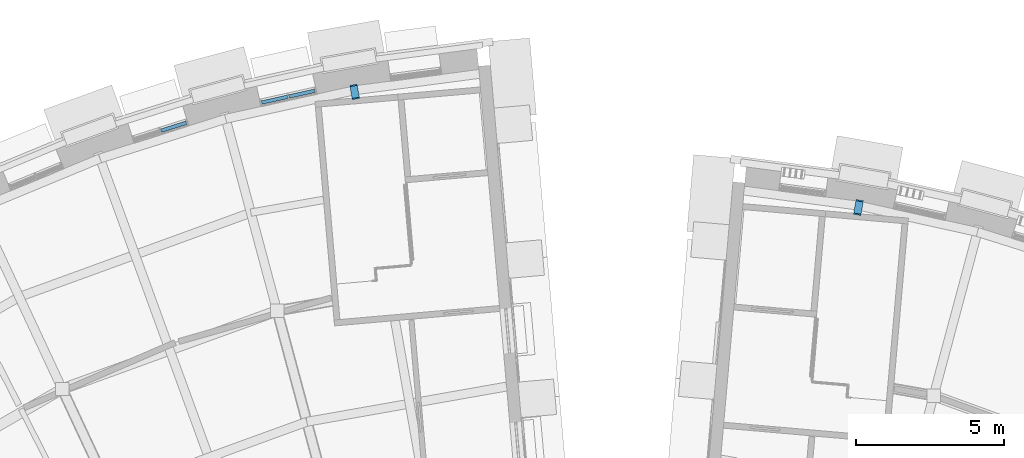
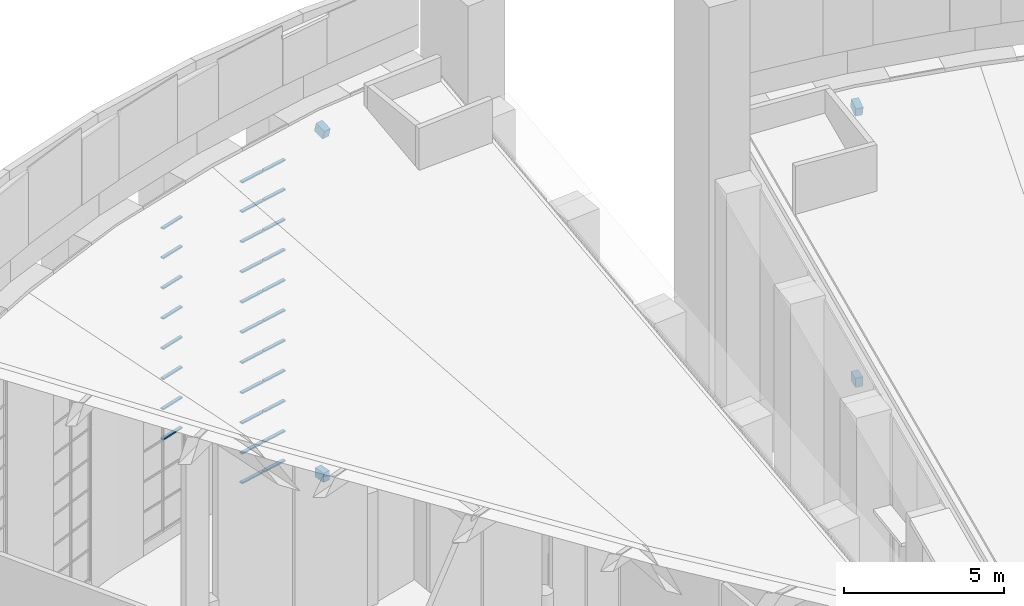
# One storey, part 36 of 82: 30 members, 4 beams, 2 elements without a shape of their own.
"""IFC4 building model written with IfcOpenShell, lengths in metres."""

from ifc_helpers import new_model, si_unit, direction, frame, origin, origin_2d, place, context, subcontext, project, spatial, rectangle, extrude, material, layer, layer_set, material_profile, profile_set, type_object, element, aggregate, save


model = new_model("IFC4")

# Units and contexts
model_context = context("Model", 3, precision=1e-05, world=origin(), true_north=direction((0.0, 1.0)))
body_context = subcontext(model_context, "Body", "Model", "MODEL_VIEW")
ifc_project = project(units=[si_unit("LENGTHUNIT", "METRE"), si_unit("AREAUNIT", "SQUARE_METRE"), si_unit("VOLUMEUNIT", "CUBIC_METRE"), si_unit("PLANEANGLEUNIT", "RADIAN"), si_unit("MASSUNIT", "GRAM", prefix="KILO")], contexts=[model_context])

# Site, building, storey
site_placement = place(None, origin())
site = spatial("IfcSite", under=ifc_project, at=site_placement, CompositionType="ELEMENT")
building_placement = place(site_placement, origin())
building = spatial("IfcBuilding", under=site, at=building_placement, Name="Volute Hill Aquarium", CompositionType="ELEMENT")
storey_placement = place(building_placement, frame((0.0, 0.0, 13.800048828125)))
storey = spatial("IfcBuildingStorey", under=building, at=storey_placement, Name="L04", CompositionType="ELEMENT", Elevation=13.800048828125)

# Curtain wall, members
ifc_material_1 = material(Name="Aluminium", Category="aluminium")
ifc_layer = layer(ifc_material_1, 0.25)
ifc_layer_set = layer_set([ifc_layer], Name="Curtain wall niche S6 module 967")
curtain_wall_type = type_object("IfcCurtainWallType", Name="Curtain wall niche S6 module 967", PredefinedType="NOTDEFINED", material=ifc_layer_set)
curtain_wall_1_placement = place(storey_placement, origin())
curtain_wall_1 = element("IfcCurtainWall", 1, at=curtain_wall_1_placement, inside=storey, type_object=curtain_wall_type, Name="Curtain wall CW S6 L04 2", PredefinedType="NOTDEFINED")
ifc_material_2 = material(Name="Aluminium", Category="aluminium")
ifc_material_profile_1 = material_profile(ifc_material_2, rectangle(XDim=0.1201171875, YDim=0.050048828125, at=origin_2d()), Name="Curtain wall transom S6 50x120")
ifc_profile_set_1 = profile_set([ifc_material_profile_1], Name="Aluminium")
member_type = type_object("IfcMemberType", Name="Curtain wall transom S6 50x120", PredefinedType="USERDEFINED", material=ifc_profile_set_1)
member_1_placement = place(storey_placement, frame((-10.181396484375, 50.161376953125, 0.474853515625), z_axis=(-0.976283562969, -0.216495738242, 0.0), x_axis=(0.216495738242, -0.976283562969, 0.0)))
member_1 = element("IfcMember", 2, at=member_1_placement, type_object=member_type, Name="CW transom 1.1", ObjectType="TRANSOM", PredefinedType="USERDEFINED", context=body_context, shape_type="SweptSolid", body=[
    extrude(rectangle(XDim=0.1201171875, YDim=0.050048828125, at=origin_2d()), origin(), (0.0, 0.0, 1.0), 0.89208984375),
])
member_2_placement = place(storey_placement, frame((-10.181396484375, 50.161376953125, 1.59912109375), z_axis=(-0.976283562969, -0.216495738242, 0.0), x_axis=(0.216495738242, -0.976283562969, 0.0)))
member_2 = element("IfcMember", 3, at=member_2_placement, type_object=member_type, Name="CW transom 1.2", ObjectType="TRANSOM", PredefinedType="USERDEFINED", context=body_context, shape_type="SweptSolid", body=[
    extrude(rectangle(XDim=0.1201171875, YDim=0.050048828125, at=origin_2d()), origin(), (0.0, 0.0, 1.0), 0.89208984375),
])
member_3_placement = place(storey_placement, frame((-10.181396484375, 50.161376953125, 2.748291015625), z_axis=(-0.976283562969, -0.216495738242, 0.0), x_axis=(0.216495738242, -0.976283562969, 0.0)))
member_3 = element("IfcMember", 4, at=member_3_placement, type_object=member_type, Name="CW transom 1.3", ObjectType="TRANSOM", PredefinedType="USERDEFINED", context=body_context, shape_type="SweptSolid", body=[
    extrude(rectangle(XDim=0.1201171875, YDim=0.050048828125, at=origin_2d()), origin(), (0.0, 0.0, 1.0), 0.89208984375),
])
member_4_placement = place(storey_placement, frame((-10.181396484375, 50.161376953125, 3.8974609375), z_axis=(-0.976283562969, -0.216495738242, 0.0), x_axis=(0.216495738242, -0.976283562969, 0.0)))
member_4 = element("IfcMember", 5, at=member_4_placement, type_object=member_type, Name="CW transom 1.4", ObjectType="TRANSOM", PredefinedType="USERDEFINED", context=body_context, shape_type="SweptSolid", body=[
    extrude(rectangle(XDim=0.1201171875, YDim=0.050048828125, at=origin_2d()), origin(), (0.0, 0.0, 1.0), 0.89208984375),
])
member_5_placement = place(storey_placement, frame((-10.181396484375, 50.161376953125, 5.046630859375), z_axis=(-0.976283562969, -0.216495738242, 0.0), x_axis=(0.216495738242, -0.976283562969, 0.0)))
member_5 = element("IfcMember", 6, at=member_5_placement, type_object=member_type, Name="CW transom 1.5", ObjectType="TRANSOM", PredefinedType="USERDEFINED", context=body_context, shape_type="SweptSolid", body=[
    extrude(rectangle(XDim=0.1201171875, YDim=0.050048828125, at=origin_2d()), origin(), (0.0, 0.0, 1.0), 0.89208984375),
])
member_6_placement = place(storey_placement, frame((-10.181396484375, 50.161376953125, 6.195556640625), z_axis=(-0.976283562969, -0.216495738242, 0.0), x_axis=(0.216495738242, -0.976283562969, 0.0)))
member_6 = element("IfcMember", 7, at=member_6_placement, type_object=member_type, Name="CW transom 1.6", ObjectType="TRANSOM", PredefinedType="USERDEFINED", context=body_context, shape_type="SweptSolid", body=[
    extrude(rectangle(XDim=0.1201171875, YDim=0.050048828125, at=origin_2d()), origin(), (0.0, 0.0, 1.0), 0.89208984375),
])
member_7_placement = place(storey_placement, frame((-10.181396484375, 50.161376953125, 7.3447265625), z_axis=(-0.976283562969, -0.216495738242, 0.0), x_axis=(0.216495738242, -0.976283562969, 0.0)))
member_7 = element("IfcMember", 8, at=member_7_placement, type_object=member_type, Name="CW transom 1.7", ObjectType="TRANSOM", PredefinedType="USERDEFINED", context=body_context, shape_type="SweptSolid", body=[
    extrude(rectangle(XDim=0.1201171875, YDim=0.050048828125, at=origin_2d()), origin(), (0.0, 0.0, 1.0), 0.89208984375),
])
member_8_placement = place(storey_placement, frame((-10.181396484375, 50.161376953125, 8.493896484375), z_axis=(-0.976283562969, -0.216495738242, 0.0), x_axis=(0.216495738242, -0.976283562969, 0.0)))
member_8 = element("IfcMember", 9, at=member_8_placement, type_object=member_type, Name="CW transom 1.8", ObjectType="TRANSOM", PredefinedType="USERDEFINED", context=body_context, shape_type="SweptSolid", body=[
    extrude(rectangle(XDim=0.1201171875, YDim=0.050048828125, at=origin_2d()), origin(), (0.0, 0.0, 1.0), 0.89208984375),
])
member_9_placement = place(storey_placement, frame((-10.181396484375, 50.161376953125, 9.64306640625), z_axis=(-0.976283562969, -0.216495738242, 0.0), x_axis=(0.216495738242, -0.976283562969, 0.0)))
member_9 = element("IfcMember", 10, at=member_9_placement, type_object=member_type, Name="CW transom 1.9", ObjectType="TRANSOM", PredefinedType="USERDEFINED", context=body_context, shape_type="SweptSolid", body=[
    extrude(rectangle(XDim=0.1201171875, YDim=0.050048828125, at=origin_2d()), origin(), (0.0, 0.0, 1.0), 0.89208984375),
])
member_10_placement = place(storey_placement, frame((-10.181396484375, 50.161376953125, 10.792236328125), z_axis=(-0.976283562969, -0.216495738242, 0.0), x_axis=(0.216495738242, -0.976283562969, 0.0)))
member_10 = element("IfcMember", 11, at=member_10_placement, type_object=member_type, Name="CW transom 1.10", ObjectType="TRANSOM", PredefinedType="USERDEFINED", context=body_context, shape_type="SweptSolid", body=[
    extrude(rectangle(XDim=0.1201171875, YDim=0.050048828125, at=origin_2d()), origin(), (0.0, 0.0, 1.0), 0.89208984375),
])
member_11_placement = place(storey_placement, frame((-10.181396484375, 50.161376953125, 11.916259765625), z_axis=(-0.976283562969, -0.216495738242, 0.0), x_axis=(0.216495738242, -0.976283562969, 0.0)))
member_11 = element("IfcMember", 12, at=member_11_placement, type_object=member_type, Name="CW transom 1.11", ObjectType="TRANSOM", PredefinedType="USERDEFINED", context=body_context, shape_type="SweptSolid", body=[
    extrude(rectangle(XDim=0.1201171875, YDim=0.050048828125, at=origin_2d()), origin(), (0.0, 0.0, 1.0), 0.89208984375),
])
member_12_placement = place(storey_placement, frame((-11.10107421875, 49.95751953125, 0.474853515625), z_axis=(-0.976270729453, -0.216553602635, 0.0), x_axis=(0.216553602635, -0.976270729453, 0.0)))
member_12 = element("IfcMember", 13, at=member_12_placement, type_object=member_type, Name="CW transom 2.1", ObjectType="TRANSOM", PredefinedType="USERDEFINED", context=body_context, shape_type="SweptSolid", body=[
    extrude(rectangle(XDim=0.1201171875, YDim=0.050048828125, at=origin_2d()), origin(), (0.0, 0.0, 1.0), 0.891845703125),
])
member_13_placement = place(storey_placement, frame((-11.10107421875, 49.95751953125, 1.59912109375), z_axis=(-0.976270729453, -0.216553602635, 0.0), x_axis=(0.216553602635, -0.976270729453, 0.0)))
member_13 = element("IfcMember", 14, at=member_13_placement, type_object=member_type, Name="CW transom 2.2", ObjectType="TRANSOM", PredefinedType="USERDEFINED", context=body_context, shape_type="SweptSolid", body=[
    extrude(rectangle(XDim=0.1201171875, YDim=0.050048828125, at=origin_2d()), origin(), (0.0, 0.0, 1.0), 0.891845703125),
])
member_14_placement = place(storey_placement, frame((-11.10107421875, 49.95751953125, 2.748291015625), z_axis=(-0.976270729453, -0.216553602635, 0.0), x_axis=(0.216553602635, -0.976270729453, 0.0)))
member_14 = element("IfcMember", 15, at=member_14_placement, type_object=member_type, Name="CW transom 2.3", ObjectType="TRANSOM", PredefinedType="USERDEFINED", context=body_context, shape_type="SweptSolid", body=[
    extrude(rectangle(XDim=0.1201171875, YDim=0.050048828125, at=origin_2d()), origin(), (0.0, 0.0, 1.0), 0.891845703125),
])
member_15_placement = place(storey_placement, frame((-11.10107421875, 49.95751953125, 3.8974609375), z_axis=(-0.976270729453, -0.216553602635, 0.0), x_axis=(0.216553602635, -0.976270729453, 0.0)))
member_15 = element("IfcMember", 16, at=member_15_placement, type_object=member_type, Name="CW transom 2.4", ObjectType="TRANSOM", PredefinedType="USERDEFINED", context=body_context, shape_type="SweptSolid", body=[
    extrude(rectangle(XDim=0.1201171875, YDim=0.050048828125, at=origin_2d()), origin(), (0.0, 0.0, 1.0), 0.891845703125),
])
member_16_placement = place(storey_placement, frame((-11.10107421875, 49.95751953125, 5.046630859375), z_axis=(-0.976270729453, -0.216553602635, 0.0), x_axis=(0.216553602635, -0.976270729453, 0.0)))
member_16 = element("IfcMember", 17, at=member_16_placement, type_object=member_type, Name="CW transom 2.5", ObjectType="TRANSOM", PredefinedType="USERDEFINED", context=body_context, shape_type="SweptSolid", body=[
    extrude(rectangle(XDim=0.1201171875, YDim=0.050048828125, at=origin_2d()), origin(), (0.0, 0.0, 1.0), 0.891845703125),
])
member_17_placement = place(storey_placement, frame((-11.10107421875, 49.95751953125, 6.195556640625), z_axis=(-0.976270729453, -0.216553602635, 0.0), x_axis=(0.216553602635, -0.976270729453, 0.0)))
member_17 = element("IfcMember", 18, at=member_17_placement, type_object=member_type, Name="CW transom 2.6", ObjectType="TRANSOM", PredefinedType="USERDEFINED", context=body_context, shape_type="SweptSolid", body=[
    extrude(rectangle(XDim=0.1201171875, YDim=0.050048828125, at=origin_2d()), origin(), (0.0, 0.0, 1.0), 0.891845703125),
])
member_18_placement = place(storey_placement, frame((-11.10107421875, 49.95751953125, 7.3447265625), z_axis=(-0.976270729453, -0.216553602635, 0.0), x_axis=(0.216553602635, -0.976270729453, 0.0)))
member_18 = element("IfcMember", 19, at=member_18_placement, type_object=member_type, Name="CW transom 2.7", ObjectType="TRANSOM", PredefinedType="USERDEFINED", context=body_context, shape_type="SweptSolid", body=[
    extrude(rectangle(XDim=0.1201171875, YDim=0.050048828125, at=origin_2d()), origin(), (0.0, 0.0, 1.0), 0.891845703125),
])
member_19_placement = place(storey_placement, frame((-11.10107421875, 49.95751953125, 8.493896484375), z_axis=(-0.976270729453, -0.216553602635, 0.0), x_axis=(0.216553602635, -0.976270729453, 0.0)))
member_19 = element("IfcMember", 20, at=member_19_placement, type_object=member_type, Name="CW transom 2.8", ObjectType="TRANSOM", PredefinedType="USERDEFINED", context=body_context, shape_type="SweptSolid", body=[
    extrude(rectangle(XDim=0.1201171875, YDim=0.050048828125, at=origin_2d()), origin(), (0.0, 0.0, 1.0), 0.891845703125),
])
member_20_placement = place(storey_placement, frame((-11.10107421875, 49.95751953125, 9.64306640625), z_axis=(-0.976270729453, -0.216553602635, 0.0), x_axis=(0.216553602635, -0.976270729453, 0.0)))
member_20 = element("IfcMember", 21, at=member_20_placement, type_object=member_type, Name="CW transom 2.9", ObjectType="TRANSOM", PredefinedType="USERDEFINED", context=body_context, shape_type="SweptSolid", body=[
    extrude(rectangle(XDim=0.1201171875, YDim=0.050048828125, at=origin_2d()), origin(), (0.0, 0.0, 1.0), 0.891845703125),
])
member_21_placement = place(storey_placement, frame((-11.10107421875, 49.95751953125, 10.792236328125), z_axis=(-0.976270729453, -0.216553602635, 0.0), x_axis=(0.216553602635, -0.976270729453, 0.0)))
member_21 = element("IfcMember", 22, at=member_21_placement, type_object=member_type, Name="CW transom 2.10", ObjectType="TRANSOM", PredefinedType="USERDEFINED", context=body_context, shape_type="SweptSolid", body=[
    extrude(rectangle(XDim=0.1201171875, YDim=0.050048828125, at=origin_2d()), origin(), (0.0, 0.0, 1.0), 0.891845703125),
])
member_22_placement = place(storey_placement, frame((-11.10107421875, 49.95751953125, 11.916259765625), z_axis=(-0.976270729453, -0.216553602635, 0.0), x_axis=(0.216553602635, -0.976270729453, 0.0)))
member_22 = element("IfcMember", 23, at=member_22_placement, type_object=member_type, Name="CW transom 2.11", ObjectType="TRANSOM", PredefinedType="USERDEFINED", context=body_context, shape_type="SweptSolid", body=[
    extrude(rectangle(XDim=0.1201171875, YDim=0.050048828125, at=origin_2d()), origin(), (0.0, 0.0, 1.0), 0.891845703125),
])
aggregate(curtain_wall_1, [member_1, member_2, member_3, member_4, member_5, member_6, member_7, member_8, member_9, member_10, member_11, member_12, member_13, member_14, member_15, member_16, member_17, member_18, member_19, member_20, member_21, member_22])

curtain_wall_2_placement = place(storey_placement, origin())
curtain_wall_2 = element("IfcCurtainWall", 24, at=curtain_wall_2_placement, inside=storey, type_object=curtain_wall_type, Name="Curtain wall CW S6 L04 3", PredefinedType="NOTDEFINED")
member_23_placement = place(storey_placement, frame((-14.514404296875, 49.0830078125, 3.8974609375), z_axis=(-0.953756274166, -0.30058105311, 0.0), x_axis=(0.30058105311, -0.953756274166, 0.0)))
member_23 = element("IfcMember", 25, at=member_23_placement, type_object=member_type, Name="CW transom 1.4", ObjectType="TRANSOM", PredefinedType="USERDEFINED", context=body_context, shape_type="SweptSolid", body=[
    extrude(rectangle(XDim=0.1201171875, YDim=0.050048828125, at=origin_2d()), origin(), (0.0, 0.0, 1.0), 0.891845703125),
])
member_24_placement = place(storey_placement, frame((-14.514404296875, 49.0830078125, 5.046630859375), z_axis=(-0.953756274166, -0.30058105311, 0.0), x_axis=(0.30058105311, -0.953756274166, 0.0)))
member_24 = element("IfcMember", 26, at=member_24_placement, type_object=member_type, Name="CW transom 1.5", ObjectType="TRANSOM", PredefinedType="USERDEFINED", context=body_context, shape_type="SweptSolid", body=[
    extrude(rectangle(XDim=0.1201171875, YDim=0.050048828125, at=origin_2d()), origin(), (0.0, 0.0, 1.0), 0.891845703125),
])
member_25_placement = place(storey_placement, frame((-14.514404296875, 49.0830078125, 6.195556640625), z_axis=(-0.953756274166, -0.30058105311, 0.0), x_axis=(0.30058105311, -0.953756274166, 0.0)))
member_25 = element("IfcMember", 27, at=member_25_placement, type_object=member_type, Name="CW transom 1.6", ObjectType="TRANSOM", PredefinedType="USERDEFINED", context=body_context, shape_type="SweptSolid", body=[
    extrude(rectangle(XDim=0.1201171875, YDim=0.050048828125, at=origin_2d()), origin(), (0.0, 0.0, 1.0), 0.891845703125),
])
member_26_placement = place(storey_placement, frame((-14.514404296875, 49.0830078125, 7.3447265625), z_axis=(-0.953756274166, -0.30058105311, 0.0), x_axis=(0.30058105311, -0.953756274166, 0.0)))
member_26 = element("IfcMember", 28, at=member_26_placement, type_object=member_type, Name="CW transom 1.7", ObjectType="TRANSOM", PredefinedType="USERDEFINED", context=body_context, shape_type="SweptSolid", body=[
    extrude(rectangle(XDim=0.1201171875, YDim=0.050048828125, at=origin_2d()), origin(), (0.0, 0.0, 1.0), 0.891845703125),
])
member_27_placement = place(storey_placement, frame((-14.514404296875, 49.0830078125, 8.493896484375), z_axis=(-0.953756274166, -0.30058105311, 0.0), x_axis=(0.30058105311, -0.953756274166, 0.0)))
member_27 = element("IfcMember", 29, at=member_27_placement, type_object=member_type, Name="CW transom 1.8", ObjectType="TRANSOM", PredefinedType="USERDEFINED", context=body_context, shape_type="SweptSolid", body=[
    extrude(rectangle(XDim=0.1201171875, YDim=0.050048828125, at=origin_2d()), origin(), (0.0, 0.0, 1.0), 0.891845703125),
])
member_28_placement = place(storey_placement, frame((-14.514404296875, 49.0830078125, 9.64306640625), z_axis=(-0.953756274166, -0.30058105311, 0.0), x_axis=(0.30058105311, -0.953756274166, 0.0)))
member_28 = element("IfcMember", 30, at=member_28_placement, type_object=member_type, Name="CW transom 1.9", ObjectType="TRANSOM", PredefinedType="USERDEFINED", context=body_context, shape_type="SweptSolid", body=[
    extrude(rectangle(XDim=0.1201171875, YDim=0.050048828125, at=origin_2d()), origin(), (0.0, 0.0, 1.0), 0.891845703125),
])
member_29_placement = place(storey_placement, frame((-14.514404296875, 49.0830078125, 10.792236328125), z_axis=(-0.953756274166, -0.30058105311, 0.0), x_axis=(0.30058105311, -0.953756274166, 0.0)))
member_29 = element("IfcMember", 31, at=member_29_placement, type_object=member_type, Name="CW transom 1.10", ObjectType="TRANSOM", PredefinedType="USERDEFINED", context=body_context, shape_type="SweptSolid", body=[
    extrude(rectangle(XDim=0.1201171875, YDim=0.050048828125, at=origin_2d()), origin(), (0.0, 0.0, 1.0), 0.891845703125),
])
member_30_placement = place(storey_placement, frame((-14.514404296875, 49.0830078125, 11.916259765625), z_axis=(-0.953756274166, -0.30058105311, 0.0), x_axis=(0.30058105311, -0.953756274166, 0.0)))
member_30 = element("IfcMember", 32, at=member_30_placement, type_object=member_type, Name="CW transom 1.11", ObjectType="TRANSOM", PredefinedType="USERDEFINED", context=body_context, shape_type="SweptSolid", body=[
    extrude(rectangle(XDim=0.1201171875, YDim=0.050048828125, at=origin_2d()), origin(), (0.0, 0.0, 1.0), 0.891845703125),
])
aggregate(curtain_wall_2, [member_23, member_24, member_25, member_26, member_27, member_28, member_29, member_30])

# Beams
ifc_material_3 = material(Name="Concrete C35/45", Category="concrete")
ifc_material_profile_2 = material_profile(ifc_material_3, rectangle(XDim=0.25, YDim=0.35009765625, at=origin_2d()), Name="RC joist 250x350")
ifc_profile_set_2 = profile_set([ifc_material_profile_2], Name="Concrete C35/45")
beam_type = type_object("IfcBeamType", Name="Joist 250x350 C35/45", PredefinedType="BEAM", material=ifc_profile_set_2)
beam_1_placement = place(storey_placement, frame((8.1142578125, 46.017822265625, -0.465087890625), z_axis=(0.173488416305, 0.98483590989, 0.0), x_axis=(-0.98483590989, 0.173488416305, 0.0)))
element("IfcBeam", 33, at=beam_1_placement, inside=storey, type_object=beam_type, Name="bm/S5/L04/rjst5", PredefinedType="BEAM", context=body_context, shape_type="SweptSolid", body=[
    extrude(rectangle(XDim=0.25, YDim=0.35009765625, at=origin_2d()), origin(), (0.0, 0.0, 1.0), 0.422119140625),
])
beam_2_placement = place(storey_placement, frame((8.1142578125, 46.017822265625, 9.821044921875), z_axis=(0.167990794357, 0.953627742632, 0.249746314277), x_axis=(-0.98483590989, 0.173488416305, 0.0)))
element("IfcBeam", 34, at=beam_2_placement, inside=storey, type_object=beam_type, Name="rb/S5/L04/rjst5", PredefinedType="BEAM", context=body_context, shape_type="SweptSolid", body=[
    extrude(rectangle(XDim=0.25, YDim=0.35009765625, at=origin_2d()), origin(), (0.0, 0.0, 1.0), 0.43603515625),
])
beam_3_placement = place(storey_placement, frame((-8.802734375, 49.922607421875, -0.4951171875), z_axis=(-0.173238167198, 0.984879960922, 0.0), x_axis=(-0.984879960922, -0.173238167198, 0.0)))
element("IfcBeam", 35, at=beam_3_placement, inside=storey, type_object=beam_type, Name="bm/S6/L04/rjst6", PredefinedType="BEAM", context=body_context, shape_type="SweptSolid", body=[
    extrude(rectangle(XDim=0.25, YDim=0.35009765625, at=origin_2d()), origin(), (0.0, 0.0, 1.0), 0.4072265625),
])
beam_4_placement = place(storey_placement, frame((-8.802734375, 49.922607421875, 12.54443359375), z_axis=(-0.167754973921, 0.953707343088, 0.249600826249), x_axis=(-0.984879960922, -0.173238167198, 0.0)))
element("IfcBeam", 36, at=beam_4_placement, inside=storey, type_object=beam_type, Name="rb/S6/L04/rjst6", PredefinedType="BEAM", context=body_context, shape_type="SweptSolid", body=[
    extrude(rectangle(XDim=0.25, YDim=0.35009765625, at=origin_2d()), origin(), (0.0, 0.0, 1.0), 0.420654296875),
])

save(model, "model.ifc")
